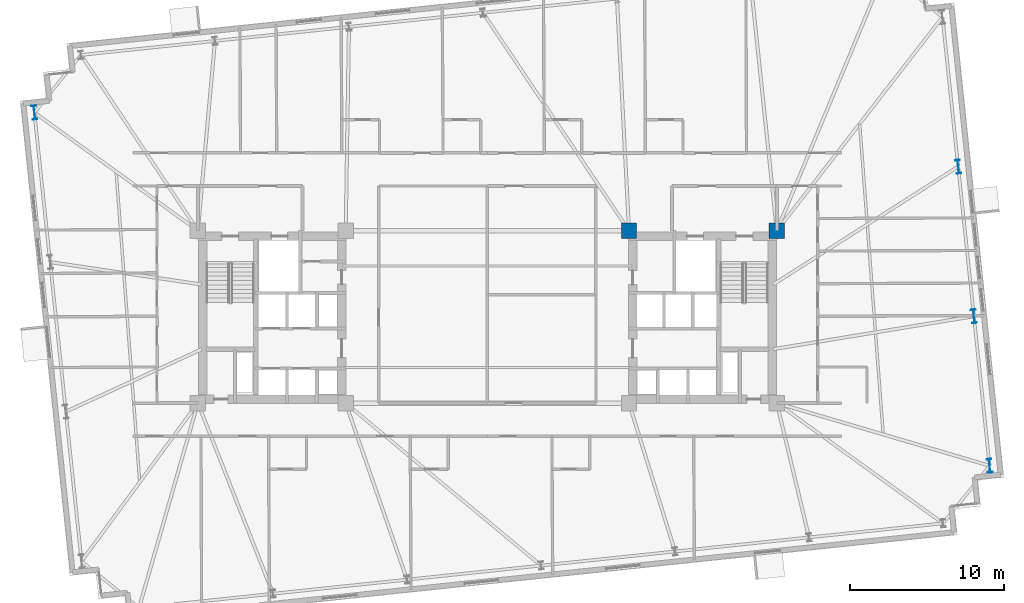
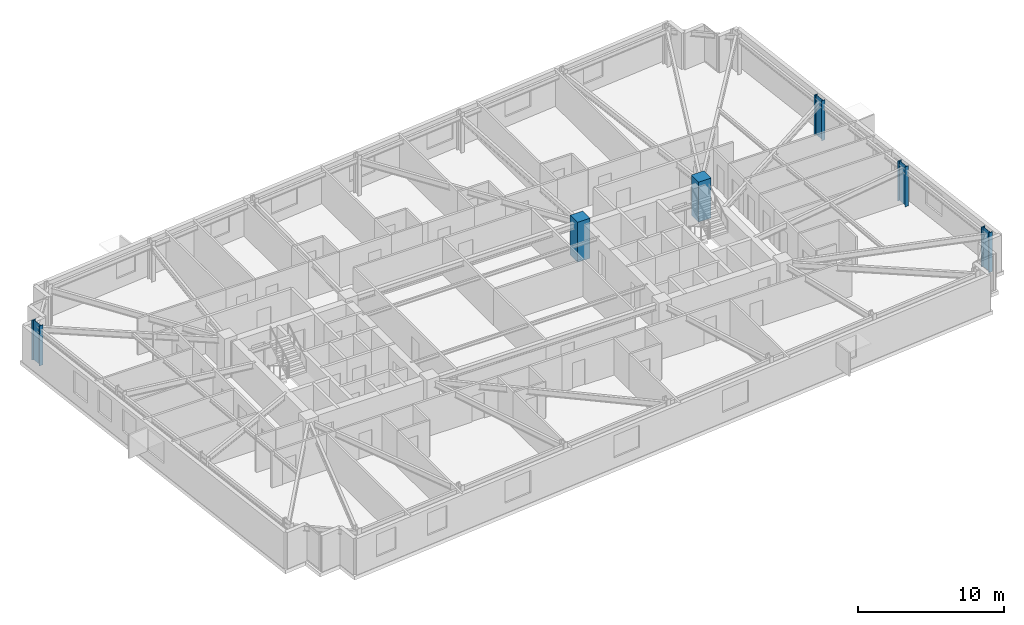
# One storey, part 2 of 19: 6 columns.
"""IFC4 building model written with IfcOpenShell, lengths in metres."""

from ifc_helpers import new_model, si_unit, direction, frame, origin, origin_2d, place, context, subcontext, project, spatial, rectangle, i_section, extrude, material, material_profile, profile_set, type_object, element, save


model = new_model("IFC4")

# Units and contexts
model_context = context("Model", 3, precision=1e-05, world=origin(), true_north=direction((0.0, 1.0)))
body_context = subcontext(model_context, "Body", "Model", "MODEL_VIEW")
ifc_project = project(units=[si_unit("LENGTHUNIT", "METRE"), si_unit("AREAUNIT", "SQUARE_METRE"), si_unit("VOLUMEUNIT", "CUBIC_METRE"), si_unit("PLANEANGLEUNIT", "RADIAN"), si_unit("MASSUNIT", "GRAM", prefix="KILO")], contexts=[model_context])

# Site, building, storey
site_placement = place(None, origin())
site = spatial("IfcSite", under=ifc_project, at=site_placement, CompositionType="ELEMENT")
building_placement = place(site_placement, origin())
building = spatial("IfcBuilding", under=site, at=building_placement, Name="Qobustan Lattice House", CompositionType="ELEMENT")
storey_placement = place(building_placement, frame((0.0, 0.0, 85.699951171875)))
storey = spatial("IfcBuildingStorey", under=building, at=storey_placement, Name="L23", CompositionType="ELEMENT", Elevation=85.699951171875)

# Columns
ifc_material_1 = material(Name="Concrete C60/75", Category="concrete")
ifc_material_profile_1 = material_profile(ifc_material_1, rectangle(XDim=1.0, YDim=1.0, at=origin_2d()), Name="RC1000x1000")
ifc_profile_set_1 = profile_set([ifc_material_profile_1], Name="Concrete C60/75")
column_type_1 = type_object("IfcColumnType", Name="COL-RC-1000", PredefinedType="COLUMN", material=ifc_profile_set_1)
for number, where, z_axis, x_axis, name in (
    (1, (9.199951171875, 5.60009765625, 0.0), (0.0, 0.0, 1.0), (1.0, 0.0, 0.0), "L23 core mega-column CE-NW"),
    (2, (18.800048828125, 5.60009765625, 0.0), (0.0, 0.0, 1.0), (1.0, 0.0, 0.0), "L23 core mega-column CE-NE"),
):
    element("IfcColumn", number, at=place(storey_placement, frame(where, z_axis=z_axis, x_axis=x_axis)), inside=storey, type_object=column_type_1, Name=name, PredefinedType="COLUMN", context=body_context, shape_type="SweptSolid", body=[
        extrude(rectangle(XDim=1.0, YDim=1.0, at=origin_2d()), origin(), (0.0, 0.0, 1.0), 3.35009765625),
    ])
ifc_material_2 = material(Name="Steel S355", Category="steel")
ifc_material_profile_2 = material_profile(ifc_material_2, i_section(OverallWidth=0.300048828125, OverallDepth=0.89990234375, WebThickness=0.0185546875, FlangeThickness=0.034912109375, FilletRadius=0.030029296875, at=origin_2d()), Name="HEB900")
ifc_profile_set_2 = profile_set([ifc_material_profile_2], Name="Steel S355")
column_type_2 = type_object("IfcColumnType", Name="COL-ST-HEB900", PredefinedType="COLUMN", material=ifc_profile_set_2)
for number, where, z_axis, x_axis, name in (
    (3, (32.618896484375, -9.67041015625, 0.0), (0.0, 0.0, 1.0), (0.994521895368, 0.104528463268, 0.0), "L23 B2 perimeter column E1"),
    (4, (31.597900390625, 0.042724609375, 0.0), (0.0, 0.0, 1.0), (0.994521895368, 0.104528463268, 0.0), "L23 B2 perimeter column E2"),
    (5, (30.5771484375, 9.755859375, 0.0), (0.0, 0.0, 1.0), (0.994521895368, 0.104528463268, 0.0), "L23 B2 perimeter column E3"),
    (6, (-29.4189453125, 13.2705078125, 0.0), (0.0, 0.0, 1.0), (0.994521895368, 0.104528463268, 0.0), "L23 B2 perimeter column W1"),
):
    element("IfcColumn", number, at=place(storey_placement, frame(where, z_axis=z_axis, x_axis=x_axis)), inside=storey, type_object=column_type_2, Name=name, PredefinedType="COLUMN", context=body_context, shape_type="SweptSolid", body=[
        extrude(i_section(OverallWidth=0.300048828125, OverallDepth=0.89990234375, WebThickness=0.0185546875, FlangeThickness=0.034912109375, FilletRadius=0.030029296875, at=origin_2d()), origin(), (0.0, 0.0, 1.0), 3.35009765625),
    ])

save(model, "model.ifc")
